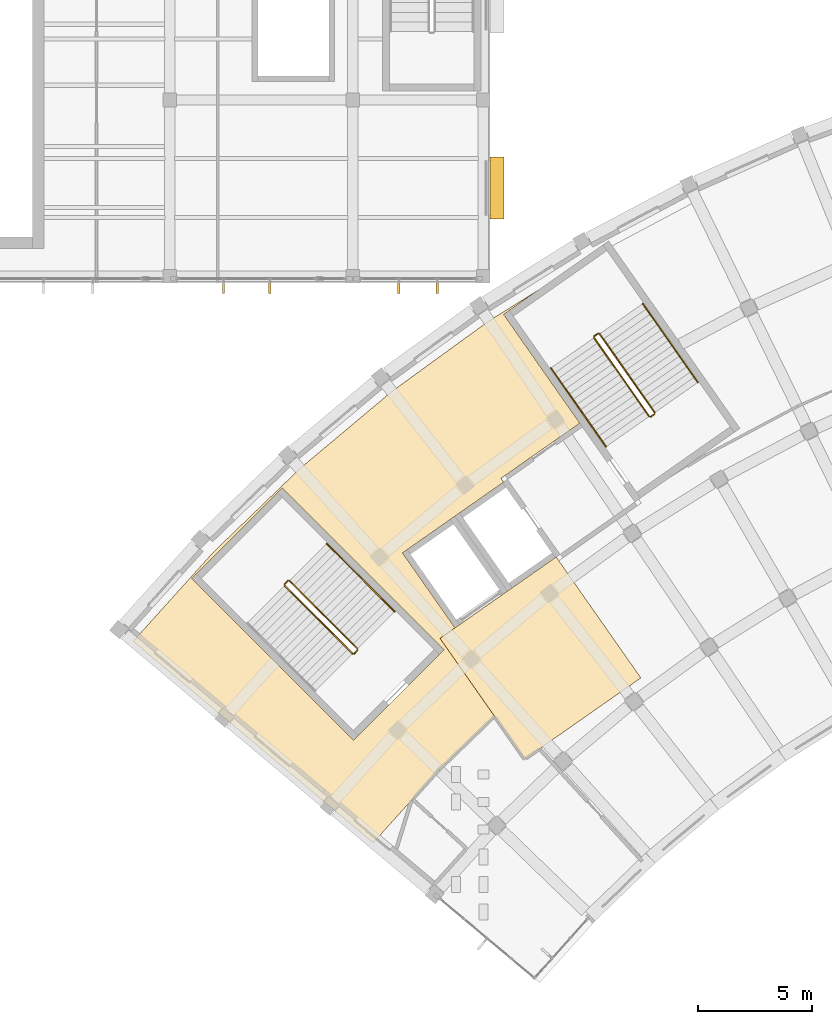
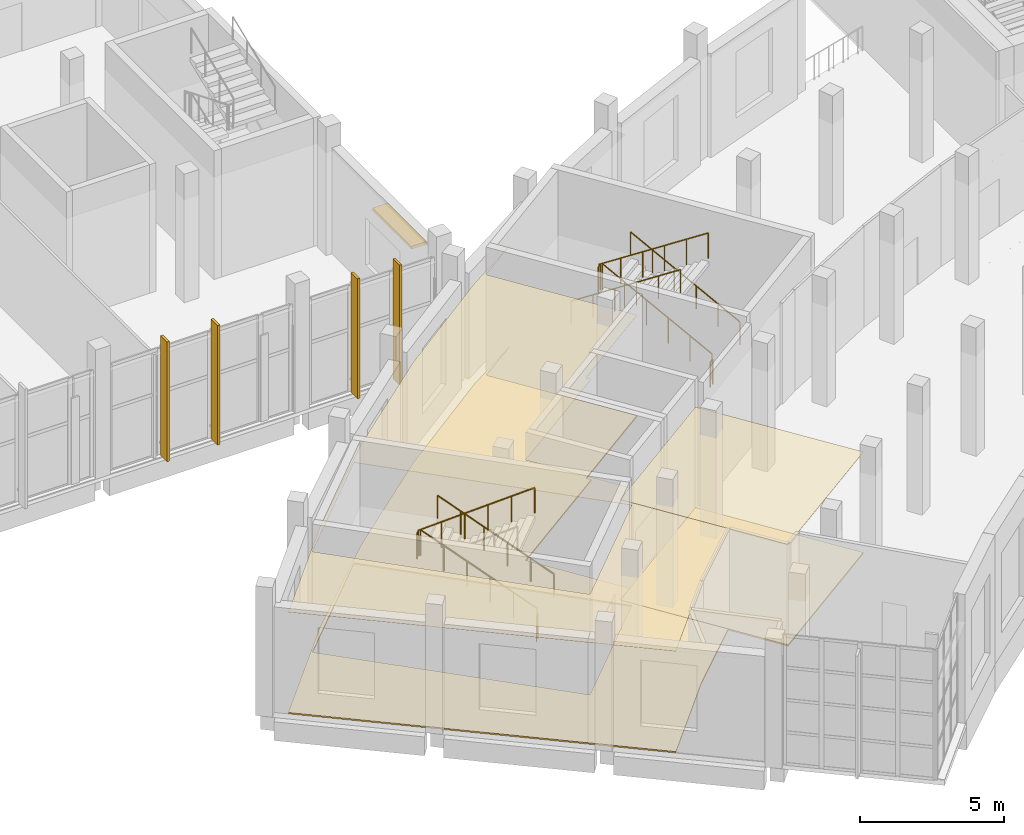
# One storey, part 57 of 87: 11 railings, 5 shading devices, 4 coverings.
"""IFC4 building model written with IfcOpenShell, lengths in metres."""

import ifcopenshell
import ifcopenshell.guid

model = None  # the IFC model being written
_history = None  # IfcOwnerHistory: only IFC2X3 demands one
_inside = {}  # id of a spatial element -> (the spatial element, [elements in it])
_under = {}  # id of a project, library or spatial element -> (it, [spatial elements below it])
_declared = {}  # id of a project -> (the project, [libraries it declares])
_typed = {}  # id of a type object -> (the type object, [elements of that type])
_made_of = {}  # id of a material, layer set ... -> (it, [elements and type objects made of it])


def new_model(schema):
    """Start an empty IFC model of exactly this schema.

    Asked for "IFC4X3", IfcOpenShell would pick the latest addendum, in which some entities
    have other attributes; the version numbers below select the first issue.
    IFC2X3 requires an IfcOwnerHistory on every rooted entity: one is made here for all.
    """
    global model, _history
    if schema == "IFC4X3":
        model = ifcopenshell.file(schema_version=(4, 3, 0, 0))
    else:
        model = ifcopenshell.file(schema=schema)
    _inside.clear()
    _under.clear()
    _declared.clear()
    _typed.clear()
    _made_of.clear()
    _history = None
    if model.schema == "IFC2X3":
        org = make("IfcOrganization", Name="unknown")
        user = make(
            "IfcPersonAndOrganization",
            ThePerson=make("IfcPerson", FamilyName="unknown"),
            TheOrganization=org,
        )
        app = make(
            "IfcApplication",
            ApplicationDeveloper=org,
            Version="unknown",
            ApplicationFullName="unknown",
            ApplicationIdentifier="unknown",
        )
        _history = make(
            "IfcOwnerHistory",
            OwningUser=user,
            OwningApplication=app,
            ChangeAction="ADDED",
            CreationDate=0,
        )
    return model


def make(cls, **values):
    """One entity of the class cls with the attributes given. An attribute that is None is left unset."""
    return model.create_entity(
        cls, **{name: value for name, value in values.items() if value is not None}
    )


def rooted(cls, **values):
    """An entity with a GlobalId (a new one), such as an element, a storey or a relation."""
    return make(cls, GlobalId=ifcopenshell.guid.new(), OwnerHistory=_history, **values)


def si_unit(unit_type, name, prefix=None):
    """IfcSIUnit, for example si_unit("LENGTHUNIT", "METRE", prefix="MILLI")."""
    return make("IfcSIUnit", UnitType=unit_type, Prefix=prefix, Name=name)


def assignment(units):
    """IfcUnitAssignment: the units of a project."""
    return None if units is None else make("IfcUnitAssignment", Units=units)


def point(xyz):
    """IfcCartesianPoint."""
    return None if xyz is None else make("IfcCartesianPoint", Coordinates=xyz)


def direction(xyz):
    """IfcDirection."""
    return None if xyz is None else make("IfcDirection", DirectionRatios=xyz)


def frame(location, z_axis=None, x_axis=None):
    """IfcAxis2Placement3D, a coordinate frame: its origin and axes. An axis left out is left unset."""
    return make(
        "IfcAxis2Placement3D",
        Location=point(location),
        Axis=direction(z_axis),
        RefDirection=direction(x_axis),
    )


def frame_2d(location, x_axis=None):
    """IfcAxis2Placement2D, a coordinate frame in the plane: its origin and x axis."""
    return make(
        "IfcAxis2Placement2D", Location=point(location), RefDirection=direction(x_axis)
    )


def origin():
    """The frame at (0, 0, 0) with its axes left unset."""
    return frame((0.0, 0.0, 0.0))


def origin_2d():
    """The frame at (0, 0) in the plane with its x axis left unset."""
    return frame_2d((0.0, 0.0))


def place(relative_to, where):
    """IfcLocalPlacement: puts the frame where relative to a parent placement (None: the world)."""
    return make(
        "IfcLocalPlacement", PlacementRelTo=relative_to, RelativePlacement=where
    )


def context(
    kind, dimensions, precision=None, world=None, true_north=None, identifier=None
):
    """IfcGeometricRepresentationContext, for example the 3D "Model" context."""
    return make(
        "IfcGeometricRepresentationContext",
        ContextIdentifier=identifier,
        ContextType=kind,
        CoordinateSpaceDimension=dimensions,
        Precision=precision,
        WorldCoordinateSystem=world,
        TrueNorth=true_north,
    )


def subcontext(parent, identifier, kind, view, scale=None):
    """IfcGeometricRepresentationSubContext, for example "Body" below "Model"."""
    return make(
        "IfcGeometricRepresentationSubContext",
        ContextIdentifier=identifier,
        ContextType=kind,
        ParentContext=parent,
        TargetScale=scale,
        TargetView=view,
    )


def project(units=None, contexts=None):
    """IfcProject with its units and contexts."""
    return rooted(
        "IfcProject",
        Name="project",
        RepresentationContexts=contexts,
        UnitsInContext=assignment(units),
    )


def spatial(cls, under=None, at=None, **own):
    """A site, building, storey or space (cls), placed at a placement, below another one or the project."""
    s = rooted(cls, ObjectPlacement=at, **own)
    if under is not None:
        _under.setdefault(under.id(), (under, []))[1].append(s)
    return s


def polyline(points):
    """IfcPolyline through the points."""
    return make("IfcPolyline", Points=[point(p) for p in points])


def profile(cls, at=None, kind="AREA", **sizes):
    """A parametric profile (cls). Its sizes go by their IFC names, for example OverallWidth=200.0."""
    return make(cls, ProfileType=kind, Position=at, **sizes)


def rectangle(**sizes):
    """IfcRectangleProfileDef."""
    return profile("IfcRectangleProfileDef", **sizes)


def circle(**sizes):
    """IfcCircleProfileDef."""
    return profile("IfcCircleProfileDef", **sizes)


def outline(outer, holes=None, kind="AREA"):
    """IfcArbitraryClosedProfileDef: a profile drawn as a closed curve; with holes, ...WithVoids."""
    if holes is None:
        return make("IfcArbitraryClosedProfileDef", ProfileType=kind, OuterCurve=outer)
    return make(
        "IfcArbitraryProfileDefWithVoids",
        ProfileType=kind,
        OuterCurve=outer,
        InnerCurves=holes,
    )


def extrude(swept, where, along, depth):
    """IfcExtrudedAreaSolid: the profile swept, set in the frame where, extruded along a direction by depth."""
    return make(
        "IfcExtrudedAreaSolid",
        SweptArea=swept,
        Position=where,
        ExtrudedDirection=direction(along),
        Depth=depth,
    )


def shape(context_of_items, identifier, shape_type, items):
    """IfcShapeRepresentation: the items that make up one representation, for example the "Body"."""
    return make(
        "IfcShapeRepresentation",
        ContextOfItems=context_of_items,
        RepresentationIdentifier=identifier,
        RepresentationType=shape_type,
        Items=items,
    )


def material(Name=None, Category=None):
    """IfcMaterial."""
    return make("IfcMaterial", Name=Name, Category=Category)


def layer(
    of_material, thickness, ventilated=None, Name=None, Category=None, Priority=None
):
    """IfcMaterialLayer: one layer of a wall or slab, of a material (None: an air gap)."""
    return make(
        "IfcMaterialLayer",
        Material=of_material,
        LayerThickness=thickness,
        IsVentilated=ventilated,
        Name=Name,
        Category=Category,
        Priority=Priority,
    )


def layer_set(layers, Name=None):
    """IfcMaterialLayerSet."""
    return make("IfcMaterialLayerSet", MaterialLayers=layers, LayerSetName=Name)


def made_of(thing, what):
    """Note that an element or type object is made of a material, layer set ...; save() writes the relation."""
    if what is not None:
        _made_of.setdefault(what.id(), (what, []))[1].append(thing)
    return thing


def type_object(cls, material=None, **own):
    """A type object (cls), such as IfcWallType, which elements share."""
    return made_of(rooted(cls, **own), material)


def element(
    cls,
    number,
    at=None,
    inside=None,
    cuts=None,
    type_object=None,
    material=None,
    context=None,
    identifier="Body",
    shape_type=None,
    held_by="IfcProductDefinitionShape",
    body=None,
    shapes=None,
    **own,
):
    """One element of the class cls, such as IfcWall. Its Tag is "e" and its number.

    at: its placement. inside: the storey or other place that contains it. cuts: it is an
    opening in that element (IfcRelVoidsElement). A single representation is given by context,
    identifier, shape_type and body (its items); several are given by shapes. held_by: the class
    of the entity that holds the representations. save() writes the other relations.
    """
    e = rooted(cls, Tag="e%d" % number, ObjectPlacement=at, **own)
    if body is not None:
        shapes = [shape(context, identifier, shape_type, body)]
    if shapes is not None:
        e.Representation = make(held_by, Representations=shapes)
    if inside is not None:
        _inside.setdefault(inside.id(), (inside, []))[1].append(e)
    if cuts is not None:
        rooted(
            "IfcRelVoidsElement", RelatingBuildingElement=cuts, RelatedOpeningElement=e
        )
    if type_object is not None:
        _typed.setdefault(type_object.id(), (type_object, []))[1].append(e)
    return made_of(e, material)


def aggregate(whole, parts):
    """IfcRelAggregates: a whole, such as a stair, and the parts it consists of."""
    return rooted("IfcRelAggregates", RelatingObject=whole, RelatedObjects=parts)


def save(model, path):
    """Write the relations noted so far, then the file.

    IfcRelAggregates (storeys below a building ...), IfcRelContainedInSpatialStructure (elements
    in a storey), IfcRelDefinesByType, IfcRelAssociatesMaterial and IfcRelDeclares: one each for
    every whole, place, type object, material and project.
    """
    for whole, parts in _under.values():
        aggregate(whole, parts)
    for where, things in _inside.values():
        rooted(
            "IfcRelContainedInSpatialStructure",
            RelatedElements=things,
            RelatingStructure=where,
        )
    for kind, things in _typed.values():
        rooted("IfcRelDefinesByType", RelatedObjects=things, RelatingType=kind)
    for what, things in _made_of.values():
        rooted("IfcRelAssociatesMaterial", RelatedObjects=things, RelatingMaterial=what)
    for by, libraries in _declared.values():
        rooted("IfcRelDeclares", RelatingContext=by, RelatedDefinitions=libraries)
    model.write(path)


model = new_model("IFC4")

# Units and contexts
model_context = context("Model", 3, precision=1e-05, world=origin(), true_north=direction((0.0, 1.0)))
body_context = subcontext(model_context, "Body", "Model", "MODEL_VIEW")
ifc_project = project(units=[si_unit("LENGTHUNIT", "METRE"), si_unit("AREAUNIT", "SQUARE_METRE"), si_unit("VOLUMEUNIT", "CUBIC_METRE"), si_unit("PLANEANGLEUNIT", "RADIAN"), si_unit("MASSUNIT", "GRAM", prefix="KILO")], contexts=[model_context])

# Site, building, storey
site_placement = place(None, origin())
site = spatial("IfcSite", under=ifc_project, at=site_placement, CompositionType="ELEMENT")
building_placement = place(site_placement, origin())
building = spatial("IfcBuilding", under=site, at=building_placement, Name="Lunette Opera House", CompositionType="ELEMENT")
storey_placement = place(building_placement, frame((0.0, 0.0, 11.5)))
storey = spatial("IfcBuildingStorey", under=building, at=storey_placement, Name="L02", CompositionType="ELEMENT", Elevation=11.5)

# Shading devices
ifc_material_1 = material(Name="Powder-coated aluminium", Category="aluminium")
shading_device_type_1 = type_object("IfcShadingDeviceType", Name="SOLAR FIN 100 X 450", PredefinedType="USERDEFINED", material=ifc_material_1)
for number, where, z_axis, x_axis, name in (
    (1, (42.35107421875, 63.76806640625, 0.115478515625), (0.0, 0.0, 1.0), (0.0, -1.0, 0.0), "Solar fin RW-X2040 1"),
    (2, (44.373046875, 63.76806640625, 0.115478515625), (0.0, 0.0, 1.0), (0.0, -1.0, 0.0), "Solar fin RW-X2040 2"),
    (3, (50.010009765625, 63.76806640625, 0.115478515625), (0.0, 0.0, 1.0), (0.0, -1.0, 0.0), "Solar fin RW-X2042 1"),
    (4, (51.68994140625, 63.76806640625, 0.115478515625), (0.0, 0.0, 1.0), (0.0, -1.0, 0.0), "Solar fin RW-X2042 2"),
):
    element("IfcShadingDevice", number, at=place(storey_placement, frame(where, z_axis=z_axis, x_axis=x_axis)), inside=storey, type_object=shading_device_type_1, Name=name, ObjectType="SOLAR FIN", PredefinedType="USERDEFINED", context=body_context, shape_type="SweptSolid", body=[
        extrude(rectangle(XDim=0.449951171875, YDim=0.10009765625, at=origin_2d()), origin(), (0.0, 0.0, 1.0), 5.0849609375),
    ])

# Railings
ifc_material_2 = material(Name="Steel S355", Category="steel")
railing_type_1 = type_object("IfcRailingType", Name="STAIR GUARD 1100", PredefinedType="GUARDRAIL", material=ifc_material_2)
railing_1_placement = place(storey_placement, frame((48.199951171875, 48.012451171875, 0.171875)))
element("IfcRailing", 5, at=railing_1_placement, inside=storey, type_object=railing_type_1, Name="L02 ST1 stair guard 1", PredefinedType="GUARDRAIL", context=body_context, shape_type="SweptSolid", body=[
    extrude(circle(Radius=0.02392578125, at=origin_2d()), frame((0.0, 0.0, 1.076171875), z_axis=(-0.602621891009, 0.602621891009, 0.523157445664), x_axis=(-0.707106781187, -0.707106781187, 0.0)), (0.0, 0.0, 1.0), 4.927978515625),
    extrude(circle(Radius=0.02099609375, at=origin_2d()), origin(), (0.0, 0.0, 1.0), 1.052001953125),
    extrude(circle(Radius=0.02099609375, at=origin_2d()), frame((-0.593994140625, 0.593994140625, 0.515625)), (0.0, 0.0, 1.0), 1.052001953125),
    extrude(circle(Radius=0.02099609375, at=origin_2d()), frame((-1.18798828125, 1.18798828125, 1.03125)), (0.0, 0.0, 1.0), 1.052001953125),
    extrude(circle(Radius=0.02099609375, at=origin_2d()), frame((-1.78173828125, 1.78173828125, 1.546875)), (0.0, 0.0, 1.0), 1.052001953125),
    extrude(circle(Radius=0.02099609375, at=origin_2d()), frame((-2.375732421875, 2.375732421875, 2.0625)), (0.0, 0.0, 1.0), 1.052001953125),
    extrude(circle(Radius=0.02099609375, at=origin_2d()), frame((-2.9697265625, 2.9697265625, 2.578125)), (0.0, 0.0, 1.0), 1.052001953125),
])
railing_2_placement = place(storey_placement, frame((45.159423828125, 50.982177734375, 2.75)))
element("IfcRailing", 6, at=railing_2_placement, inside=storey, type_object=railing_type_1, Name="L02 ST1 stair guard 2", PredefinedType="GUARDRAIL", context=body_context, shape_type="SweptSolid", body=[
    extrude(circle(Radius=0.02392578125, at=origin_2d()), frame((0.0, 0.0, 1.076171875), z_axis=(-0.707106781187, -0.707106781187, 0.0), x_axis=(0.707106781187, -0.707106781187, 0.0)), (0.0, 0.0, 1.0), 0.2001953125),
    extrude(circle(Radius=0.02099609375, at=origin_2d()), origin(), (0.0, 0.0, 1.0), 1.052001953125),
    extrude(circle(Radius=0.02099609375, at=origin_2d()), frame((-0.1416015625, -0.1416015625, 0.0)), (0.0, 0.0, 1.0), 1.052001953125),
])
railing_3_placement = place(storey_placement, frame((45.017822265625, 50.769775390625, 2.921875)))
element("IfcRailing", 7, at=railing_3_placement, inside=storey, type_object=railing_type_1, Name="L02 ST1 stair guard 3", PredefinedType="GUARDRAIL", context=body_context, shape_type="SweptSolid", body=[
    extrude(circle(Radius=0.02392578125, at=origin_2d()), frame((0.0, 0.0, 1.076171875), z_axis=(0.602621891009, -0.602621891009, 0.523157445664), x_axis=(0.707106781187, 0.707106781187, 0.0)), (0.0, 0.0, 1.0), 4.927978515625),
    extrude(circle(Radius=0.02099609375, at=origin_2d()), origin(), (0.0, 0.0, 1.0), 1.052001953125),
    extrude(circle(Radius=0.02099609375, at=origin_2d()), frame((0.593994140625, -0.593994140625, 0.515625)), (0.0, 0.0, 1.0), 1.052001953125),
    extrude(circle(Radius=0.02099609375, at=origin_2d()), frame((1.18798828125, -1.18798828125, 1.03125)), (0.0, 0.0, 1.0), 1.052001953125),
    extrude(circle(Radius=0.02099609375, at=origin_2d()), frame((1.78173828125, -1.78173828125, 1.546875)), (0.0, 0.0, 1.0), 1.052001953125),
    extrude(circle(Radius=0.02099609375, at=origin_2d()), frame((2.375732421875, -2.375732421875, 2.0625)), (0.0, 0.0, 1.0), 1.052001953125),
    extrude(circle(Radius=0.02099609375, at=origin_2d()), frame((2.9697265625, -2.9697265625, 2.578125)), (0.0, 0.0, 1.0), 1.052001953125),
])
railing_4_placement = place(storey_placement, frame((48.199951171875, 47.941650390625, 0.0)))
element("IfcRailing", 8, at=railing_4_placement, inside=storey, type_object=railing_type_1, Name="L02 ST1 stair guard 4", PredefinedType="GUARDRAIL", context=body_context, shape_type="SweptSolid", body=[
    extrude(circle(Radius=0.02392578125, at=origin_2d()), frame((0.0, 0.0, 1.076171875), z_axis=(-0.707106781187, -0.707106781187, 0.0), x_axis=(0.707106781187, -0.707106781187, 0.0)), (0.0, 0.0, 1.0), 0.2001953125),
    extrude(circle(Radius=0.02099609375, at=origin_2d()), origin(), (0.0, 0.0, 1.0), 1.052001953125),
    extrude(circle(Radius=0.02099609375, at=origin_2d()), frame((-0.1416015625, -0.1416015625, 0.0)), (0.0, 0.0, 1.0), 1.052001953125),
])
railing_5_placement = place(storey_placement, frame((61.195068359375, 58.3369140625, 0.171875)))
element("IfcRailing", 9, at=railing_5_placement, inside=storey, type_object=railing_type_1, Name="L02 ST2 stair guard 1", PredefinedType="GUARDRAIL", context=body_context, shape_type="SweptSolid", body=[
    extrude(circle(Radius=0.02392578125, at=origin_2d()), frame((0.0, 0.0, 1.076171875), z_axis=(-0.488760814363, 0.698166040625, 0.523141516285), x_axis=(-0.819207341873, -0.573497455114, 0.0)), (0.0, 0.0, 1.0), 4.92822265625),
    extrude(circle(Radius=0.02099609375, at=origin_2d()), origin(), (0.0, 0.0, 1.0), 1.052001953125),
    extrude(circle(Radius=0.02099609375, at=origin_2d()), frame((-0.481689453125, 0.688232421875, 0.515625)), (0.0, 0.0, 1.0), 1.052001953125),
    extrude(circle(Radius=0.02099609375, at=origin_2d()), frame((-0.96337890625, 1.376220703125, 1.03125)), (0.0, 0.0, 1.0), 1.052001953125),
    extrude(circle(Radius=0.02099609375, at=origin_2d()), frame((-1.4453125, 2.064453125, 1.546875)), (0.0, 0.0, 1.0), 1.052001953125),
    extrude(circle(Radius=0.02099609375, at=origin_2d()), frame((-1.927001953125, 2.75244140625, 2.0625)), (0.0, 0.0, 1.0), 1.052001953125),
    extrude(circle(Radius=0.02099609375, at=origin_2d()), frame((-2.40869140625, 3.440673828125, 2.578125)), (0.0, 0.0, 1.0), 1.052001953125),
])
railing_6_placement = place(storey_placement, frame((58.716552734375, 61.789794921875, 2.75)))
element("IfcRailing", 10, at=railing_6_placement, inside=storey, type_object=railing_type_1, Name="L02 ST2 stair guard 2", PredefinedType="GUARDRAIL", context=body_context, shape_type="SweptSolid", body=[
    extrude(circle(Radius=0.02392578125, at=origin_2d()), frame((0.0, 0.0, 1.076171875), z_axis=(-0.819289108261, -0.573380638917, 0.0), x_axis=(0.573380638917, -0.819289108261, 0.0)), (0.0, 0.0, 1.0), 0.200439453125),
    extrude(circle(Radius=0.02099609375, at=origin_2d()), origin(), (0.0, 0.0, 1.0), 1.052001953125),
    extrude(circle(Radius=0.02099609375, at=origin_2d()), frame((-0.164306640625, -0.114990234375, 0.0)), (0.0, 0.0, 1.0), 1.052001953125),
])
railing_7_placement = place(storey_placement, frame((58.5400390625, 61.605224609375, 2.921875)))
element("IfcRailing", 11, at=railing_7_placement, inside=storey, type_object=railing_type_1, Name="L02 ST2 stair guard 3", PredefinedType="GUARDRAIL", context=body_context, shape_type="SweptSolid", body=[
    extrude(circle(Radius=0.02392578125, at=origin_2d()), frame((0.0, 0.0, 1.076171875), z_axis=(0.488760814363, -0.698166040625, 0.523141516285), x_axis=(0.819207341873, 0.573497455114, 0.0)), (0.0, 0.0, 1.0), 4.92822265625),
    extrude(circle(Radius=0.02099609375, at=origin_2d()), origin(), (0.0, 0.0, 1.0), 1.052001953125),
    extrude(circle(Radius=0.02099609375, at=origin_2d()), frame((0.481689453125, -0.688232421875, 0.515625)), (0.0, 0.0, 1.0), 1.052001953125),
    extrude(circle(Radius=0.02099609375, at=origin_2d()), frame((0.96337890625, -1.376220703125, 1.03125)), (0.0, 0.0, 1.0), 1.052001953125),
    extrude(circle(Radius=0.02099609375, at=origin_2d()), frame((1.4453125, -2.064453125, 1.546875)), (0.0, 0.0, 1.0), 1.052001953125),
    extrude(circle(Radius=0.02099609375, at=origin_2d()), frame((1.927001953125, -2.75244140625, 2.0625)), (0.0, 0.0, 1.0), 1.052001953125),
    extrude(circle(Radius=0.02099609375, at=origin_2d()), frame((2.40869140625, -3.440673828125, 2.578125)), (0.0, 0.0, 1.0), 1.052001953125),
])
railing_8_placement = place(storey_placement, frame((61.1826171875, 58.267333984375, 0.0)))
element("IfcRailing", 12, at=railing_8_placement, inside=storey, type_object=railing_type_1, Name="L02 ST2 stair guard 4", PredefinedType="GUARDRAIL", context=body_context, shape_type="SweptSolid", body=[
    extrude(circle(Radius=0.02392578125, at=origin_2d()), frame((0.0, 0.0, 1.076171875), z_axis=(-0.819289108261, -0.573380638917, 0.0), x_axis=(0.573380638917, -0.819289108261, 0.0)), (0.0, 0.0, 1.0), 0.200439453125),
    extrude(circle(Radius=0.02099609375, at=origin_2d()), origin(), (0.0, 0.0, 1.0), 1.052001953125),
    extrude(circle(Radius=0.02099609375, at=origin_2d()), frame((-0.164306640625, -0.114990234375, 0.0)), (0.0, 0.0, 1.0), 1.052001953125),
])
ifc_material_3 = material(Name="Steel S355", Category="steel")
railing_type_2 = type_object("IfcRailingType", Name="STAIR HANDRAIL 1000", PredefinedType="HANDRAIL", material=ifc_material_3)
railing_9_placement = place(storey_placement, frame((49.826416015625, 49.638671875, 0.171875)))
element("IfcRailing", 13, at=railing_9_placement, inside=storey, type_object=railing_type_2, Name="L02 ST1 stair handrail 1", PredefinedType="HANDRAIL", context=body_context, shape_type="SweptSolid", body=[
    extrude(circle(Radius=0.02392578125, at=origin_2d()), frame((0.0, 0.0, 0.97607421875), z_axis=(-0.602635448971, 0.602635448971, 0.523126209711), x_axis=(-0.707106781187, -0.707106781187, 0.0)), (0.0, 0.0, 1.0), 4.92822265625),
    extrude(circle(Radius=0.02099609375, at=origin_2d()), origin(), (0.0, 0.0, 1.0), 0.951904296875),
    extrude(circle(Radius=0.02099609375, at=origin_2d()), frame((-0.593994140625, 0.593994140625, 0.515625)), (0.0, 0.0, 1.0), 0.951904296875),
    extrude(circle(Radius=0.02099609375, at=origin_2d()), frame((-1.18798828125, 1.18798828125, 1.03125)), (0.0, 0.0, 1.0), 0.951904296875),
    extrude(circle(Radius=0.02099609375, at=origin_2d()), frame((-1.781982421875, 1.781982421875, 1.546875)), (0.0, 0.0, 1.0), 0.951904296875),
    extrude(circle(Radius=0.02099609375, at=origin_2d()), frame((-2.3759765625, 2.3759765625, 2.0625)), (0.0, 0.0, 1.0), 0.951904296875),
    extrude(circle(Radius=0.02099609375, at=origin_2d()), frame((-2.969970703125, 2.969970703125, 2.578125)), (0.0, 0.0, 1.0), 0.951904296875),
])
railing_10_placement = place(storey_placement, frame((63.0791015625, 59.656005859375, 0.171875)))
element("IfcRailing", 14, at=railing_10_placement, inside=storey, type_object=railing_type_2, Name="L02 ST2 stair handrail 1", PredefinedType="HANDRAIL", context=body_context, shape_type="SweptSolid", body=[
    extrude(circle(Radius=0.02392578125, at=origin_2d()), frame((0.0, 0.0, 0.97607421875), z_axis=(-0.488760814363, 0.698166040625, 0.523141516285), x_axis=(-0.819207341873, -0.573497455114, 0.0)), (0.0, 0.0, 1.0), 4.92822265625),
    extrude(circle(Radius=0.02099609375, at=origin_2d()), origin(), (0.0, 0.0, 1.0), 0.951904296875),
    extrude(circle(Radius=0.02099609375, at=origin_2d()), frame((-0.481689453125, 0.688232421875, 0.515625)), (0.0, 0.0, 1.0), 0.951904296875),
    extrude(circle(Radius=0.02099609375, at=origin_2d()), frame((-0.96337890625, 1.376220703125, 1.03125)), (0.0, 0.0, 1.0), 0.951904296875),
    extrude(circle(Radius=0.02099609375, at=origin_2d()), frame((-1.4453125, 2.064453125, 1.546875)), (0.0, 0.0, 1.0), 0.951904296875),
    extrude(circle(Radius=0.02099609375, at=origin_2d()), frame((-1.927001953125, 2.75244140625, 2.0625)), (0.0, 0.0, 1.0), 0.951904296875),
    extrude(circle(Radius=0.02099609375, at=origin_2d()), frame((-2.40869140625, 3.440673828125, 2.578125)), (0.0, 0.0, 1.0), 0.951904296875),
])
railing_11_placement = place(storey_placement, frame((56.65576171875, 60.2861328125, 2.921875)))
element("IfcRailing", 15, at=railing_11_placement, inside=storey, type_object=railing_type_2, Name="L02 ST2 stair handrail 2", PredefinedType="HANDRAIL", context=body_context, shape_type="SweptSolid", body=[
    extrude(circle(Radius=0.02392578125, at=origin_2d()), frame((0.0, 0.0, 0.97607421875), z_axis=(0.488798518461, -0.69814913557, 0.523128849189), x_axis=(0.819180032231, 0.573536463352, 0.0)), (0.0, 0.0, 1.0), 4.92822265625),
    extrude(circle(Radius=0.02099609375, at=origin_2d()), origin(), (0.0, 0.0, 1.0), 0.951904296875),
    extrude(circle(Radius=0.02099609375, at=origin_2d()), frame((0.481689453125, -0.688232421875, 0.515625)), (0.0, 0.0, 1.0), 0.951904296875),
    extrude(circle(Radius=0.02099609375, at=origin_2d()), frame((0.963623046875, -1.376220703125, 1.03125)), (0.0, 0.0, 1.0), 0.951904296875),
    extrude(circle(Radius=0.02099609375, at=origin_2d()), frame((1.4453125, -2.064453125, 1.546875)), (0.0, 0.0, 1.0), 0.951904296875),
    extrude(circle(Radius=0.02099609375, at=origin_2d()), frame((1.92724609375, -2.75244140625, 2.0625)), (0.0, 0.0, 1.0), 0.951904296875),
    extrude(circle(Radius=0.02099609375, at=origin_2d()), frame((2.408935546875, -3.440673828125, 2.578125)), (0.0, 0.0, 1.0), 0.951904296875),
])

# Coverings
ifc_material_4 = material(Name="Mineral fibre board")
ifc_layer_1 = layer(ifc_material_4, 0.014892578125)
ifc_layer_set_1 = layer_set([ifc_layer_1], Name="Mineral fibre board")
covering_type_1 = type_object("IfcCoveringType", Name="SUSPENDED ACOUSTIC CEILING 15", PredefinedType="CEILING", material=ifc_layer_set_1)
covering_1_placement = place(storey_placement, frame((0.0, 0.0, 4.31494140625)))
element("IfcCovering", 16, at=covering_1_placement, inside=storey, type_object=covering_type_1, Name="Ceiling Open Lift Lobby L02 West", PredefinedType="CEILING", context=body_context, shape_type="SweptSolid", body=[
    extrude(outline(polyline([(60.5859375, 46.739990234375), (56.886962890625, 52.02392578125), (51.80810546875, 48.468017578125), (55.508056640625, 43.18408203125), (60.5859375, 46.739990234375)])), origin(), (0.0, 0.0, 1.0), 0.01513671875),
])
covering_2_placement = place(storey_placement, frame((0.0, 0.0, 4.31494140625)))
element("IfcCovering", 17, at=covering_2_placement, inside=storey, type_object=covering_type_1, Name="Ceiling Grand Tier Foyer Rear", PredefinedType="CEILING", context=body_context, shape_type="SweptSolid", body=[
    extrude(outline(polyline([(51.80810546875, 48.468017578125), (54.18896484375, 45.06689453125), (51.760986328125, 42.720947265625), (48.887939453125, 39.531005859375), (46.972900390625, 41.137939453125), (38.39404296875, 48.337890625), (41.906005859375, 52.238037109375), (45.680908203125, 55.884033203125), (49.701904296875, 59.258056640625), (53.948974609375, 62.343994140625), (56.18603515625, 63.741943359375), (54.591064453125, 62.625), (57.91796875, 57.8740234375), (54.47705078125, 55.464111328125), (54.592041015625, 55.300048828125), (52.462890625, 53.80908203125), (50.1689453125, 52.202880859375), (52.462890625, 48.927001953125), (51.80810546875, 48.468017578125)]), holes=[polyline([(48.02294921875, 44.01708984375), (51.98291015625, 47.97705078125), (44.912109375, 55.048095703125), (40.951904296875, 51.087890625), (48.02294921875, 44.01708984375)])]), origin(), (0.0, 0.0, 1.0), 0.01513671875),
])
ifc_material_5 = material(Name="Terrazzo")
ifc_layer_2 = layer(ifc_material_5, 0.06005859375)
ifc_layer_set_2 = layer_set([ifc_layer_2], Name="Terrazzo")
covering_type_2 = type_object("IfcCoveringType", Name="TERRAZZO FLOOR FINISH 60", PredefinedType="FLOORING", material=ifc_layer_set_2)
covering_3_placement = place(storey_placement, origin())
element("IfcCovering", 18, at=covering_3_placement, inside=storey, type_object=covering_type_2, Name="Floor finish Open Lift Lobby L02 West", PredefinedType="FLOORING", context=body_context, shape_type="SweptSolid", body=[
    extrude(outline(polyline([(60.5859375, 46.739990234375), (56.886962890625, 52.02392578125), (51.80810546875, 48.468017578125), (55.508056640625, 43.18408203125), (60.5859375, 46.739990234375)])), origin(), (0.0, 0.0, 1.0), 0.06005859375),
])
covering_4_placement = place(storey_placement, origin())
element("IfcCovering", 19, at=covering_4_placement, inside=storey, type_object=covering_type_2, Name="Floor finish Grand Tier Foyer Rear", PredefinedType="FLOORING", context=body_context, shape_type="SweptSolid", body=[
    extrude(outline(polyline([(51.80810546875, 48.468017578125), (54.18896484375, 45.06689453125), (51.760986328125, 42.720947265625), (48.887939453125, 39.531005859375), (46.972900390625, 41.137939453125), (38.39404296875, 48.337890625), (41.906005859375, 52.238037109375), (45.680908203125, 55.884033203125), (49.701904296875, 59.258056640625), (53.948974609375, 62.343994140625), (56.18603515625, 63.741943359375), (54.591064453125, 62.625), (57.91796875, 57.8740234375), (54.47705078125, 55.464111328125), (54.592041015625, 55.300048828125), (52.462890625, 53.80908203125), (50.1689453125, 52.202880859375), (52.462890625, 48.927001953125), (51.80810546875, 48.468017578125)]), holes=[polyline([(48.02294921875, 44.01708984375), (51.98291015625, 47.97705078125), (44.912109375, 55.048095703125), (40.951904296875, 51.087890625), (48.02294921875, 44.01708984375)])]), origin(), (0.0, 0.0, 1.0), 0.06005859375),
])

# Shading device
ifc_material_6 = material(Name="Powder-coated aluminium", Category="aluminium")
ifc_layer_3 = layer(ifc_material_6, 0.1201171875)
ifc_layer_set_3 = layer_set([ifc_layer_3], Name="Powder-coated aluminium")
shading_device_type_2 = type_object("IfcShadingDeviceType", Name="WINDOW HOOD 600 X 2700", PredefinedType="USERDEFINED", material=ifc_layer_set_3)
shading_device_placement = place(storey_placement, frame((54.300048828125, 68.14990234375, 3.079833984375), z_axis=(0.0, 0.0, 1.0), x_axis=(1.0, 0.0, 0.0)))
element("IfcShadingDevice", 20, at=shading_device_placement, inside=storey, type_object=shading_device_type_2, Name="Window hood RW-N2025", ObjectType="WINDOW HOOD", PredefinedType="USERDEFINED", context=body_context, shape_type="SweptSolid", body=[
    extrude(rectangle(XDim=0.60009765625, YDim=2.699951171875, at=origin_2d()), origin(), (0.0, 0.0, 1.0), 0.1201171875),
])

save(model, "model.ifc")
